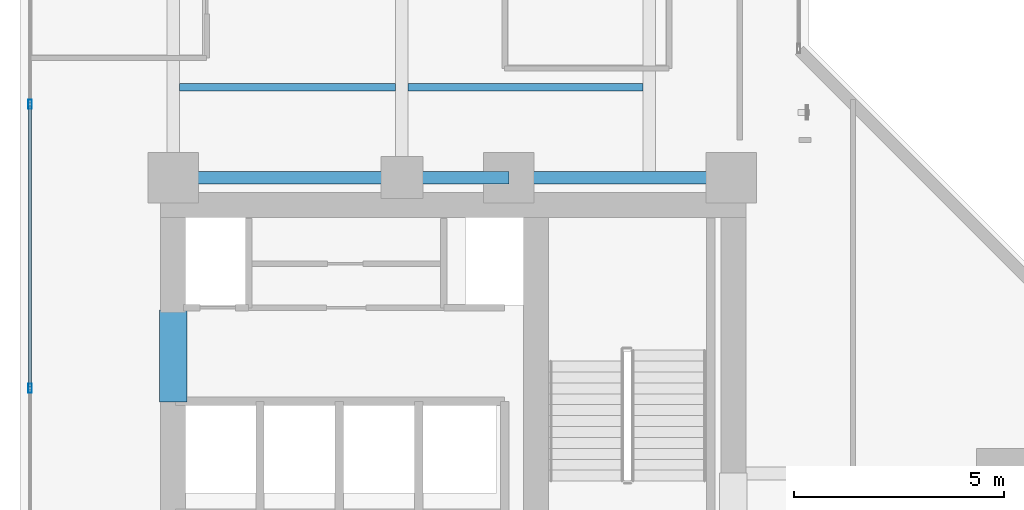
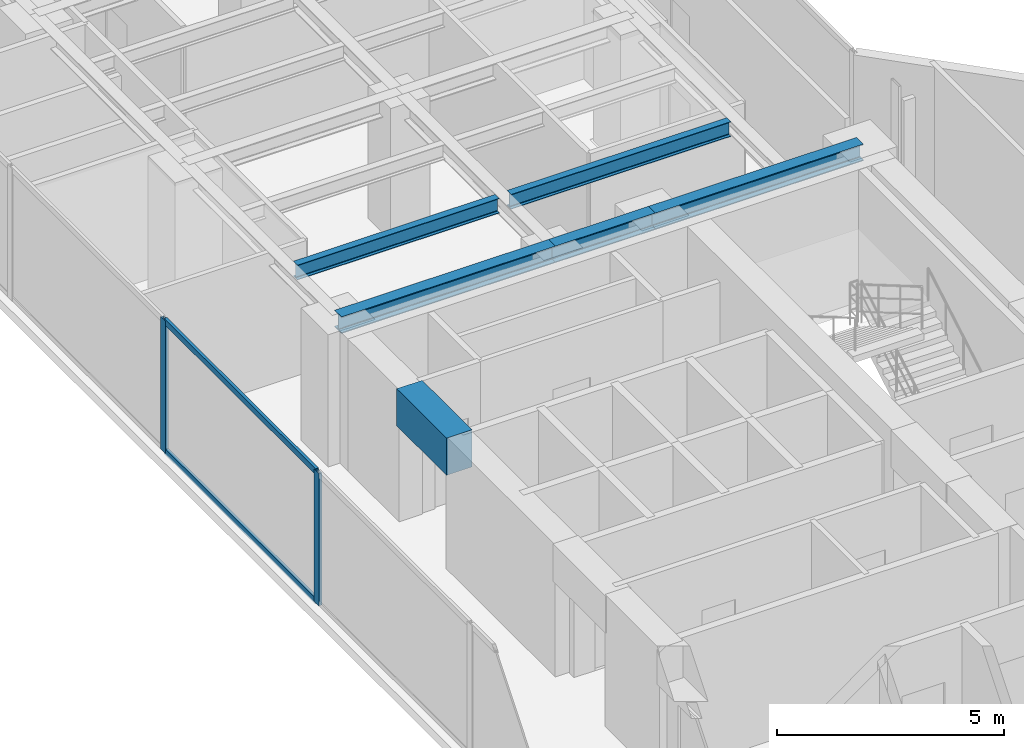
# One storey, part 7 of 27: 6 beams, 4 members, 1 element without a shape of its own.
"""IFC4 building model written with IfcOpenShell, lengths in metres."""

import ifcopenshell
import ifcopenshell.guid

model = None  # the IFC model being written
_history = None  # IfcOwnerHistory: only IFC2X3 demands one
_inside = {}  # id of a spatial element -> (the spatial element, [elements in it])
_under = {}  # id of a project, library or spatial element -> (it, [spatial elements below it])
_declared = {}  # id of a project -> (the project, [libraries it declares])
_typed = {}  # id of a type object -> (the type object, [elements of that type])
_made_of = {}  # id of a material, layer set ... -> (it, [elements and type objects made of it])


def new_model(schema):
    """Start an empty IFC model of exactly this schema.

    Asked for "IFC4X3", IfcOpenShell would pick the latest addendum, in which some entities
    have other attributes; the version numbers below select the first issue.
    IFC2X3 requires an IfcOwnerHistory on every rooted entity: one is made here for all.
    """
    global model, _history
    if schema == "IFC4X3":
        model = ifcopenshell.file(schema_version=(4, 3, 0, 0))
    else:
        model = ifcopenshell.file(schema=schema)
    _inside.clear()
    _under.clear()
    _declared.clear()
    _typed.clear()
    _made_of.clear()
    _history = None
    if model.schema == "IFC2X3":
        org = make("IfcOrganization", Name="unknown")
        user = make(
            "IfcPersonAndOrganization",
            ThePerson=make("IfcPerson", FamilyName="unknown"),
            TheOrganization=org,
        )
        app = make(
            "IfcApplication",
            ApplicationDeveloper=org,
            Version="unknown",
            ApplicationFullName="unknown",
            ApplicationIdentifier="unknown",
        )
        _history = make(
            "IfcOwnerHistory",
            OwningUser=user,
            OwningApplication=app,
            ChangeAction="ADDED",
            CreationDate=0,
        )
    return model


def make(cls, **values):
    """One entity of the class cls with the attributes given. An attribute that is None is left unset."""
    return model.create_entity(
        cls, **{name: value for name, value in values.items() if value is not None}
    )


def rooted(cls, **values):
    """An entity with a GlobalId (a new one), such as an element, a storey or a relation."""
    return make(cls, GlobalId=ifcopenshell.guid.new(), OwnerHistory=_history, **values)


def si_unit(unit_type, name, prefix=None):
    """IfcSIUnit, for example si_unit("LENGTHUNIT", "METRE", prefix="MILLI")."""
    return make("IfcSIUnit", UnitType=unit_type, Prefix=prefix, Name=name)


def assignment(units):
    """IfcUnitAssignment: the units of a project."""
    return None if units is None else make("IfcUnitAssignment", Units=units)


def point(xyz):
    """IfcCartesianPoint."""
    return None if xyz is None else make("IfcCartesianPoint", Coordinates=xyz)


def direction(xyz):
    """IfcDirection."""
    return None if xyz is None else make("IfcDirection", DirectionRatios=xyz)


def frame(location, z_axis=None, x_axis=None):
    """IfcAxis2Placement3D, a coordinate frame: its origin and axes. An axis left out is left unset."""
    return make(
        "IfcAxis2Placement3D",
        Location=point(location),
        Axis=direction(z_axis),
        RefDirection=direction(x_axis),
    )


def frame_2d(location, x_axis=None):
    """IfcAxis2Placement2D, a coordinate frame in the plane: its origin and x axis."""
    return make(
        "IfcAxis2Placement2D", Location=point(location), RefDirection=direction(x_axis)
    )


def origin():
    """The frame at (0, 0, 0) with its axes left unset."""
    return frame((0.0, 0.0, 0.0))


def origin_with_axes():
    """The frame at (0, 0, 0) with the z axis (0, 0, 1) and the x axis (1, 0, 0) written out."""
    return frame((0.0, 0.0, 0.0), z_axis=(0.0, 0.0, 1.0), x_axis=(1.0, 0.0, 0.0))


def origin_2d():
    """The frame at (0, 0) in the plane with its x axis left unset."""
    return frame_2d((0.0, 0.0))


def place(relative_to, where):
    """IfcLocalPlacement: puts the frame where relative to a parent placement (None: the world)."""
    return make(
        "IfcLocalPlacement", PlacementRelTo=relative_to, RelativePlacement=where
    )


def context(
    kind, dimensions, precision=None, world=None, true_north=None, identifier=None
):
    """IfcGeometricRepresentationContext, for example the 3D "Model" context."""
    return make(
        "IfcGeometricRepresentationContext",
        ContextIdentifier=identifier,
        ContextType=kind,
        CoordinateSpaceDimension=dimensions,
        Precision=precision,
        WorldCoordinateSystem=world,
        TrueNorth=true_north,
    )


def subcontext(parent, identifier, kind, view, scale=None):
    """IfcGeometricRepresentationSubContext, for example "Body" below "Model"."""
    return make(
        "IfcGeometricRepresentationSubContext",
        ContextIdentifier=identifier,
        ContextType=kind,
        ParentContext=parent,
        TargetScale=scale,
        TargetView=view,
    )


def project(units=None, contexts=None):
    """IfcProject with its units and contexts."""
    return rooted(
        "IfcProject",
        Name="project",
        RepresentationContexts=contexts,
        UnitsInContext=assignment(units),
    )


def spatial(cls, under=None, at=None, **own):
    """A site, building, storey or space (cls), placed at a placement, below another one or the project."""
    s = rooted(cls, ObjectPlacement=at, **own)
    if under is not None:
        _under.setdefault(under.id(), (under, []))[1].append(s)
    return s


def profile(cls, at=None, kind="AREA", **sizes):
    """A parametric profile (cls). Its sizes go by their IFC names, for example OverallWidth=200.0."""
    return make(cls, ProfileType=kind, Position=at, **sizes)


def rectangle(**sizes):
    """IfcRectangleProfileDef."""
    return profile("IfcRectangleProfileDef", **sizes)


def hollow_rectangle(**sizes):
    """IfcRectangleHollowProfileDef."""
    return profile("IfcRectangleHollowProfileDef", **sizes)


def i_section(**sizes):
    """IfcIShapeProfileDef."""
    return profile("IfcIShapeProfileDef", **sizes)


def extrude(swept, where, along, depth):
    """IfcExtrudedAreaSolid: the profile swept, set in the frame where, extruded along a direction by depth."""
    return make(
        "IfcExtrudedAreaSolid",
        SweptArea=swept,
        Position=where,
        ExtrudedDirection=direction(along),
        Depth=depth,
    )


def shape(context_of_items, identifier, shape_type, items):
    """IfcShapeRepresentation: the items that make up one representation, for example the "Body"."""
    return make(
        "IfcShapeRepresentation",
        ContextOfItems=context_of_items,
        RepresentationIdentifier=identifier,
        RepresentationType=shape_type,
        Items=items,
    )


def source(mapping_origin, context_of_items, identifier, shape_type, items):
    """IfcRepresentationMap: a shape defined once, which mapped items show again and again."""
    return make(
        "IfcRepresentationMap",
        MappingOrigin=mapping_origin,
        MappedRepresentation=shape(context_of_items, identifier, shape_type, items),
    )


def transform(
    local_origin,
    x_axis=None,
    y_axis=None,
    z_axis=None,
    scale=None,
    scale2=None,
    scale3=None,
    uniform=True,
):
    """IfcCartesianTransformationOperator3D, or its non-uniform kind. x_axis, y_axis, z_axis: its Axis1, 2, 3."""
    if uniform:
        return make(
            "IfcCartesianTransformationOperator3D",
            Axis1=direction(x_axis),
            Axis2=direction(y_axis),
            LocalOrigin=point(local_origin),
            Scale=scale,
            Axis3=direction(z_axis),
        )
    return make(
        "IfcCartesianTransformationOperator3DnonUniform",
        Axis1=direction(x_axis),
        Axis2=direction(y_axis),
        LocalOrigin=point(local_origin),
        Scale=scale,
        Axis3=direction(z_axis),
        Scale2=scale2,
        Scale3=scale3,
    )


def mapped(mapping_source, mapping_target):
    """IfcMappedItem: shows the shape of a source again, moved by a transform."""
    return make(
        "IfcMappedItem", MappingSource=mapping_source, MappingTarget=mapping_target
    )


def material(Name=None, Category=None):
    """IfcMaterial."""
    return make("IfcMaterial", Name=Name, Category=Category)


def layer(
    of_material, thickness, ventilated=None, Name=None, Category=None, Priority=None
):
    """IfcMaterialLayer: one layer of a wall or slab, of a material (None: an air gap)."""
    return make(
        "IfcMaterialLayer",
        Material=of_material,
        LayerThickness=thickness,
        IsVentilated=ventilated,
        Name=Name,
        Category=Category,
        Priority=Priority,
    )


def layer_set(layers, Name=None):
    """IfcMaterialLayerSet."""
    return make("IfcMaterialLayerSet", MaterialLayers=layers, LayerSetName=Name)


def material_profile(
    of_material, cross_section, Name=None, Category=None, Priority=None
):
    """IfcMaterialProfile: a cross section and its material."""
    return make(
        "IfcMaterialProfile",
        Name=Name,
        Material=of_material,
        Profile=cross_section,
        Priority=Priority,
        Category=Category,
    )


def profile_set(profiles, Name=None, composite=None):
    """IfcMaterialProfileSet."""
    return make(
        "IfcMaterialProfileSet",
        Name=Name,
        MaterialProfiles=profiles,
        CompositeProfile=composite,
    )


def made_of(thing, what):
    """Note that an element or type object is made of a material, layer set ...; save() writes the relation."""
    if what is not None:
        _made_of.setdefault(what.id(), (what, []))[1].append(thing)
    return thing


def type_object(cls, material=None, **own):
    """A type object (cls), such as IfcWallType, which elements share."""
    return made_of(rooted(cls, **own), material)


def element(
    cls,
    number,
    at=None,
    inside=None,
    cuts=None,
    type_object=None,
    material=None,
    context=None,
    identifier="Body",
    shape_type=None,
    held_by="IfcProductDefinitionShape",
    body=None,
    shapes=None,
    **own,
):
    """One element of the class cls, such as IfcWall. Its Tag is "e" and its number.

    at: its placement. inside: the storey or other place that contains it. cuts: it is an
    opening in that element (IfcRelVoidsElement). A single representation is given by context,
    identifier, shape_type and body (its items); several are given by shapes. held_by: the class
    of the entity that holds the representations. save() writes the other relations.
    """
    e = rooted(cls, Tag="e%d" % number, ObjectPlacement=at, **own)
    if body is not None:
        shapes = [shape(context, identifier, shape_type, body)]
    if shapes is not None:
        e.Representation = make(held_by, Representations=shapes)
    if inside is not None:
        _inside.setdefault(inside.id(), (inside, []))[1].append(e)
    if cuts is not None:
        rooted(
            "IfcRelVoidsElement", RelatingBuildingElement=cuts, RelatedOpeningElement=e
        )
    if type_object is not None:
        _typed.setdefault(type_object.id(), (type_object, []))[1].append(e)
    return made_of(e, material)


def aggregate(whole, parts):
    """IfcRelAggregates: a whole, such as a stair, and the parts it consists of."""
    return rooted("IfcRelAggregates", RelatingObject=whole, RelatedObjects=parts)


def save(model, path):
    """Write the relations noted so far, then the file.

    IfcRelAggregates (storeys below a building ...), IfcRelContainedInSpatialStructure (elements
    in a storey), IfcRelDefinesByType, IfcRelAssociatesMaterial and IfcRelDeclares: one each for
    every whole, place, type object, material and project.
    """
    for whole, parts in _under.values():
        aggregate(whole, parts)
    for where, things in _inside.values():
        rooted(
            "IfcRelContainedInSpatialStructure",
            RelatedElements=things,
            RelatingStructure=where,
        )
    for kind, things in _typed.values():
        rooted("IfcRelDefinesByType", RelatedObjects=things, RelatingType=kind)
    for what, things in _made_of.values():
        rooted("IfcRelAssociatesMaterial", RelatedObjects=things, RelatingMaterial=what)
    for by, libraries in _declared.values():
        rooted("IfcRelDeclares", RelatingContext=by, RelatedDefinitions=libraries)
    model.write(path)


model = new_model("IFC4")

# Units and contexts
model_context = context("Model", 3, precision=1e-05, world=origin(), true_north=direction((0.0, 1.0)))
body_context = subcontext(model_context, "Body", "Model", "MODEL_VIEW")
ifc_project = project(units=[si_unit("LENGTHUNIT", "METRE"), si_unit("AREAUNIT", "SQUARE_METRE"), si_unit("VOLUMEUNIT", "CUBIC_METRE"), si_unit("PLANEANGLEUNIT", "RADIAN"), si_unit("MASSUNIT", "GRAM", prefix="KILO")], contexts=[model_context])

# Site, building, storey
site_placement = place(None, origin())
site = spatial("IfcSite", under=ifc_project, at=site_placement, CompositionType="ELEMENT")
building_placement = place(site_placement, origin())
building = spatial("IfcBuilding", under=site, at=building_placement, Name="Kolvaren Waterfront Exchange", CompositionType="ELEMENT")
storey_placement = place(building_placement, frame((0.0, 0.0, 176.60009765625)))
storey = spatial("IfcBuildingStorey", under=building, at=storey_placement, Name="L45", CompositionType="ELEMENT", Elevation=176.60009765625)

# Beams
ifc_material_1 = material(Name="Steel S355", Category="steel")
ifc_material_profile_1 = material_profile(ifc_material_1, i_section(OverallWidth=0.300048828125, OverallDepth=0.449951171875, WebThickness=0.013916015625, FlangeThickness=0.02587890625, FilletRadius=0.027099609375, at=origin_2d()), Name="HEB450")
ifc_profile_set_1 = profile_set([ifc_material_profile_1], Name="Steel S355")
beam_type_1 = type_object("IfcBeamType", Name="STR-BM-HEB450", PredefinedType="BEAM", material=ifc_profile_set_1)
beam_1_placement = place(storey_placement, frame((7.449951171875, 24.449951171875, 3.3349609375), z_axis=(1.0, 0.0, 0.0), x_axis=(0.0, 1.0, 0.0)))
element("IfcBeam", 1, at=beam_1_placement, inside=storey, type_object=beam_type_1, Name="L45 north-arm girder 1A", PredefinedType="BEAM", context=body_context, shape_type="SweptSolid", body=[
    extrude(i_section(OverallWidth=0.300048828125, OverallDepth=0.449951171875, WebThickness=0.013916015625, FlangeThickness=0.02587890625, FilletRadius=0.027099609375, at=origin_2d()), origin(), (0.0, 0.0, 1.0), 5.449951171875),
])
beam_2_placement = place(storey_placement, frame((12.89990234375, 24.449951171875, 3.3349609375), z_axis=(1.0, 0.0, 0.0), x_axis=(0.0, 1.0, 0.0)))
element("IfcBeam", 2, at=beam_2_placement, inside=storey, type_object=beam_type_1, Name="L45 north-arm girder 1B", PredefinedType="BEAM", context=body_context, shape_type="SweptSolid", body=[
    extrude(i_section(OverallWidth=0.300048828125, OverallDepth=0.449951171875, WebThickness=0.013916015625, FlangeThickness=0.02587890625, FilletRadius=0.027099609375, at=origin_2d()), origin(), (0.0, 0.0, 1.0), 2.550048828125),
])
beam_3_placement = place(storey_placement, frame((15.449951171875, 24.449951171875, 3.3349609375), z_axis=(1.0, 0.0, 0.0), x_axis=(0.0, 1.0, 0.0)))
element("IfcBeam", 3, at=beam_3_placement, inside=storey, type_object=beam_type_1, Name="L45 north-arm girder 1C", PredefinedType="BEAM", context=body_context, shape_type="SweptSolid", body=[
    extrude(i_section(OverallWidth=0.300048828125, OverallDepth=0.449951171875, WebThickness=0.013916015625, FlangeThickness=0.02587890625, FilletRadius=0.027099609375, at=origin_2d()), origin(), (0.0, 0.0, 1.0), 5.300048828125),
])
ifc_material_profile_2 = material_profile(ifc_material_1, i_section(OverallWidth=0.179931640625, OverallDepth=0.39990234375, WebThickness=0.008544921875, FlangeThickness=0.013427734375, FilletRadius=0.02099609375, at=origin_2d()), Name="IPE400")
ifc_profile_set_2 = profile_set([ifc_material_profile_2], Name="Steel S355")
beam_type_2 = type_object("IfcBeamType", Name="STR-BM-IPE400", PredefinedType="JOIST", material=ifc_profile_set_2)
beam_4_placement = place(storey_placement, frame((7.60205078125, 26.60009765625, 3.35986328125), z_axis=(1.0, 0.0, 0.0), x_axis=(0.0, 1.0, 0.0)))
element("IfcBeam", 4, at=beam_4_placement, inside=storey, type_object=beam_type_2, Name="L45 north-arm composite joist 1A", PredefinedType="JOIST", context=body_context, shape_type="SweptSolid", body=[
    extrude(i_section(OverallWidth=0.179931640625, OverallDepth=0.39990234375, WebThickness=0.008544921875, FlangeThickness=0.013427734375, FilletRadius=0.02099609375, at=origin_2d()), origin(), (0.0, 0.0, 1.0), 5.14599609375),
])
beam_5_placement = place(storey_placement, frame((13.052001953125, 26.60009765625, 3.35986328125), z_axis=(1.0, 0.0, 0.0), x_axis=(0.0, 1.0, 0.0)))
element("IfcBeam", 5, at=beam_5_placement, inside=storey, type_object=beam_type_2, Name="L45 north-arm composite joist 1B", PredefinedType="JOIST", context=body_context, shape_type="SweptSolid", body=[
    extrude(i_section(OverallWidth=0.179931640625, OverallDepth=0.39990234375, WebThickness=0.008544921875, FlangeThickness=0.013427734375, FilletRadius=0.02099609375, at=origin_2d()), origin(), (0.0, 0.0, 1.0), 5.595947265625),
])
ifc_material_2 = material(Name="Concrete C60/75", Category="concrete")
ifc_material_profile_3 = material_profile(ifc_material_2, rectangle(XDim=0.64990234375, YDim=1.0, at=origin_2d()), Name="RC-CB-1000x650")
ifc_profile_set_3 = profile_set([ifc_material_profile_3], Name="Concrete C60/75")
beam_type_3 = type_object("IfcBeamType", Name="STR-CB-1000", PredefinedType="SPANDREL", material=ifc_profile_set_3)
beam_6_placement = place(storey_placement, frame((7.449951171875, 19.10009765625, 3.059814453125), z_axis=(0.0, 1.0, 0.0), x_axis=(-1.0, 0.0, 0.0)))
element("IfcBeam", 6, at=beam_6_placement, inside=storey, type_object=beam_type_3, Name="L45 core coupling beam 5", PredefinedType="SPANDREL", context=body_context, shape_type="SweptSolid", body=[
    extrude(rectangle(XDim=0.64990234375, YDim=1.0, at=origin_2d()), origin(), (0.0, 0.0, 1.0), 2.199951171875),
])

# Curtain wall, members
ifc_material_3 = material(Name="Anodised aluminium 6063-T6", Category="aluminium")
ifc_layer = layer(ifc_material_3, 0.219970703125, Name="Anodised aluminium 6063-T6")
ifc_layer_set = layer_set([ifc_layer], Name="Anodised aluminium 6063-T6")
curtain_wall_type = type_object("IfcCurtainWallType", Name="ARC-CW-SYS2", PredefinedType="USERDEFINED", material=ifc_layer_set)
curtain_wall_placement = place(storey_placement, origin())
curtain_wall = element("IfcCurtainWall", 7, at=curtain_wall_placement, inside=storey, type_object=curtain_wall_type, Name="L45 stick curtain wall CW2 (CW-L45-W)", ObjectType="STICK CURTAIN WALL", PredefinedType="USERDEFINED")
ifc_material_profile_4 = material_profile(ifc_material_3, hollow_rectangle(XDim=0.074951171875, YDim=0.159912109375, WallThickness=0.00439453125, at=origin_2d()), Name="ALU-TRN-160x75x4.5")
ifc_profile_set_4 = profile_set([ifc_material_profile_4], Name="Anodised aluminium 6063-T6")
member_type_1 = type_object("IfcMemberType", Name="ARC-CWT-160", PredefinedType="USERDEFINED", material=ifc_profile_set_4)
shared_shape_1 = source(origin_with_axes(), body_context, "Body", "SweptSolid", [
    extrude(hollow_rectangle(XDim=0.074951171875, YDim=0.159912109375, WallThickness=0.00439453125, at=origin_2d()), origin(), (0.0, 0.0, 1.0), 6.6865234375),
])
member_1_placement = place(storey_placement, frame((4.0400390625, 19.473388671875, 0.037353515625), z_axis=(0.0, 1.0, 0.0), x_axis=(-1.0, 0.0, 0.0)))
member_1 = element("IfcMember", 8, at=member_1_placement, type_object=member_type_1, Name="CW2 transom 3.1", ObjectType="TRANSOM", PredefinedType="USERDEFINED", context=body_context, shape_type="MappedRepresentation", body=[
    mapped(shared_shape_1, transform((0.0, 0.0, 0.0), x_axis=(1.0, 0.0, 0.0), y_axis=(0.0, 1.0, 0.0), z_axis=(0.0, 0.0, 1.0), scale=1.0)),
])
member_2_placement = place(storey_placement, frame((4.0400390625, 19.473388671875, 3.5224609375), z_axis=(0.0, 1.0, 0.0), x_axis=(-1.0, 0.0, 0.0)))
member_2 = element("IfcMember", 9, at=member_2_placement, type_object=member_type_1, Name="CW2 transom 3.2", ObjectType="TRANSOM", PredefinedType="USERDEFINED", context=body_context, shape_type="MappedRepresentation", body=[
    mapped(shared_shape_1, transform((0.0, 0.0, 0.0), x_axis=(1.0, 0.0, 0.0), y_axis=(0.0, 1.0, 0.0), z_axis=(0.0, 0.0, 1.0), scale=1.0)),
])
ifc_material_profile_5 = material_profile(ifc_material_3, hollow_rectangle(XDim=0.080078125, YDim=0.219970703125, WallThickness=0.0048828125, at=origin_2d()), Name="ALU-MUL-220x80x5")
ifc_profile_set_5 = profile_set([ifc_material_profile_5], Name="Anodised aluminium 6063-T6")
member_type_2 = type_object("IfcMemberType", Name="ARC-CWM-220", PredefinedType="MULLION", material=ifc_profile_set_5)
shared_shape_2 = source(origin_with_axes(), body_context, "Body", "SweptSolid", [
    extrude(hollow_rectangle(XDim=0.080078125, YDim=0.219970703125, WallThickness=0.0048828125, at=origin_2d()), origin(), (0.0, 0.0, 1.0), 3.559814453125),
])
member_3_placement = place(storey_placement, frame((4.0400390625, 19.433349609375, 0.0), z_axis=(0.0, 0.0, 1.0), x_axis=(-1.0, 0.0, 0.0)))
member_3 = element("IfcMember", 10, at=member_3_placement, type_object=member_type_2, Name="CW2 mullion 3", PredefinedType="MULLION", context=body_context, shape_type="MappedRepresentation", body=[
    mapped(shared_shape_2, transform((0.0, 0.0, 0.0), x_axis=(1.0, 0.0, 0.0), y_axis=(0.0, 1.0, 0.0), z_axis=(0.0, 0.0, 1.0), scale=1.0)),
])
member_4_placement = place(storey_placement, frame((4.0400390625, 26.199951171875, 0.0), z_axis=(0.0, 0.0, 1.0), x_axis=(-1.0, 0.0, 0.0)))
member_4 = element("IfcMember", 11, at=member_4_placement, type_object=member_type_2, Name="CW2 mullion 4", PredefinedType="MULLION", context=body_context, shape_type="MappedRepresentation", body=[
    mapped(shared_shape_2, transform((0.0, 0.0, 0.0), x_axis=(1.0, 0.0, 0.0), y_axis=(0.0, 1.0, 0.0), z_axis=(0.0, 0.0, 1.0), scale=1.0)),
])
aggregate(curtain_wall, [member_3, member_4, member_1, member_2])

save(model, "model.ifc")
